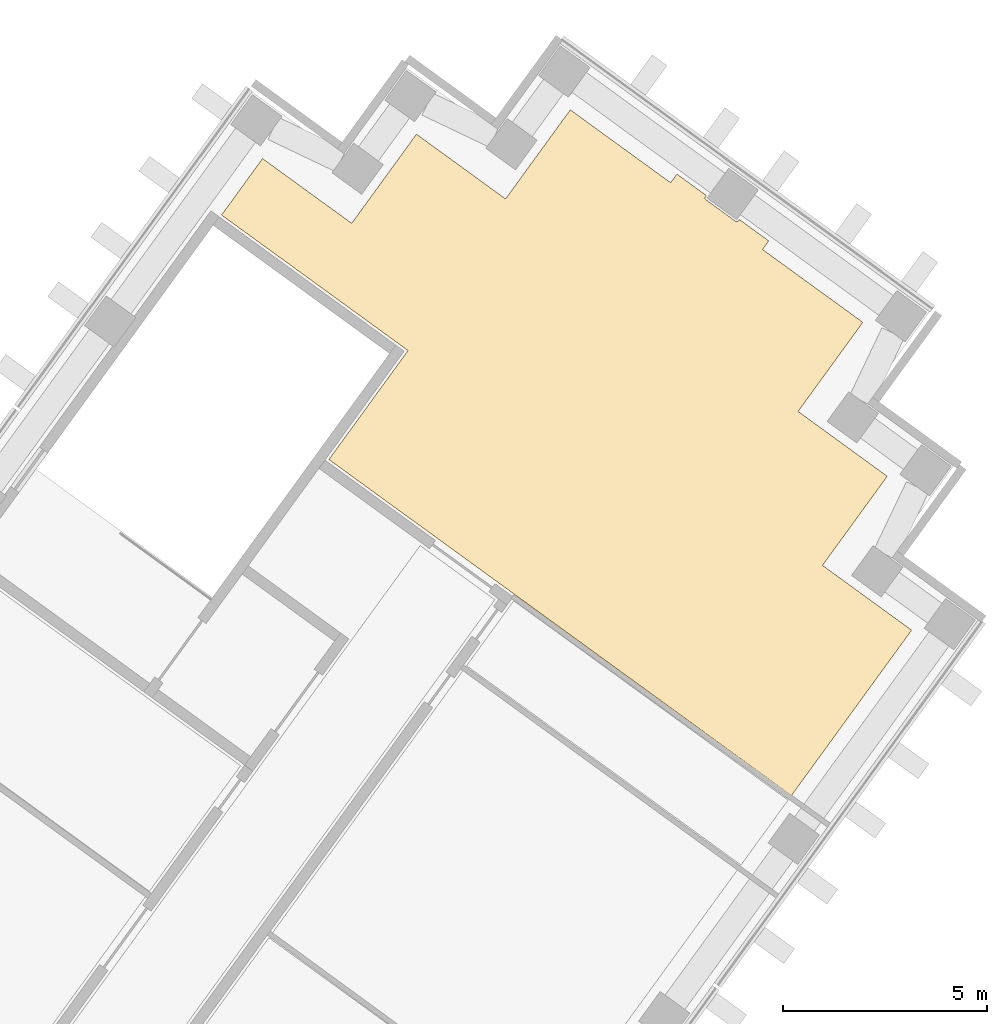
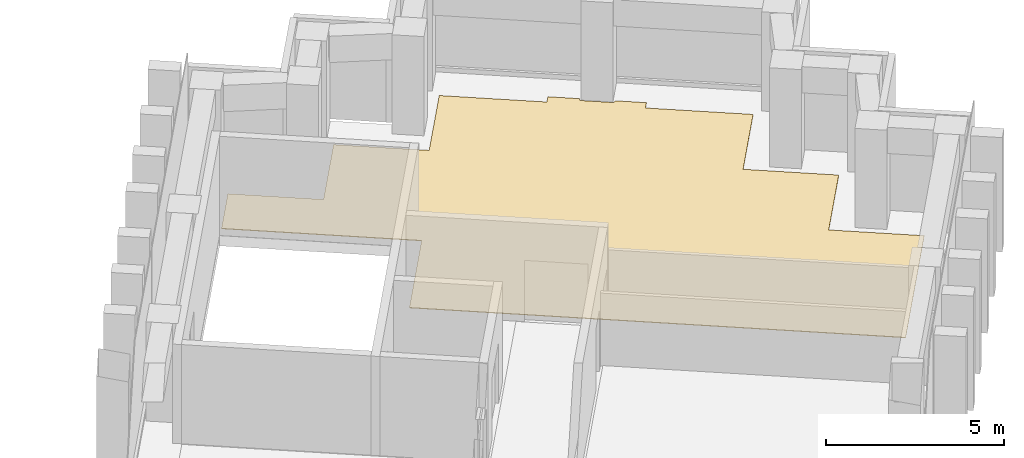
# One storey, part 12 of 12: 1 covering.
"""IFC4 building model written with IfcOpenShell, lengths in metres."""

from ifc_helpers import new_model, si_unit, direction, frame, origin, place, context, subcontext, project, spatial, polyline, outline, extrude, material, layer, layer_set, type_object, element, save


model = new_model("IFC4")

# Units and contexts
model_context = context("Model", 3, precision=1e-05, world=origin(), true_north=direction((0.0, 1.0)))
body_context = subcontext(model_context, "Body", "Model", "MODEL_VIEW")
ifc_project = project(units=[si_unit("LENGTHUNIT", "METRE"), si_unit("AREAUNIT", "SQUARE_METRE"), si_unit("VOLUMEUNIT", "CUBIC_METRE"), si_unit("PLANEANGLEUNIT", "RADIAN"), si_unit("MASSUNIT", "GRAM", prefix="KILO")], contexts=[model_context])

# Site, building, storey
site_placement = place(None, origin())
site = spatial("IfcSite", under=ifc_project, at=site_placement, CompositionType="ELEMENT")
building_placement = place(site_placement, origin())
building = spatial("IfcBuilding", under=site, at=building_placement, Name="Quipu Civic Tower", CompositionType="ELEMENT")
storey_placement = place(building_placement, frame((0.0, 0.0, 75.0)))
storey = spatial("IfcBuildingStorey", under=building, at=storey_placement, Name="L17", CompositionType="ELEMENT", Elevation=75.0)

# Covering
ifc_material = material(Name="Carpet tile on raised access floor")
ifc_layer = layer(ifc_material, 0.02001953125)
ifc_layer_set = layer_set([ifc_layer], Name="Carpet tile on raised access floor")
covering_type = type_object("IfcCoveringType", Name="Carpet tile floor finish 20", PredefinedType="FLOORING", material=ifc_layer_set)
covering_placement = place(storey_placement, origin())
element("IfcCovering", 1, at=covering_placement, inside=storey, type_object=covering_type, Name="Carpet tile floor finish 20", PredefinedType="FLOORING", context=body_context, shape_type="SweptSolid", body=[
    extrude(outline(polyline([(36.570068359375, 39.530029296875), (37.574951171875, 40.9130859375), (39.760009765625, 39.326904296875), (41.345947265625, 41.510986328125), (43.530029296875, 39.925048828125), (45.116943359375, 42.10791015625), (47.574951171875, 40.322021484375), (47.72900390625, 40.531982421875), (48.449951171875, 40.008056640625), (48.427001953125, 39.97705078125), (48.424072265625, 39.972900390625), (48.422119140625, 39.968017578125), (48.419921875, 39.964111328125), (48.4189453125, 39.958984375), (48.41796875, 39.9541015625), (48.4169921875, 39.948974609375), (48.4169921875, 39.944091796875), (48.41796875, 39.93994140625), (48.4189453125, 39.93505859375), (48.419921875, 39.929931640625), (48.422119140625, 39.926025390625), (48.425048828125, 39.9208984375), (48.427001953125, 39.9169921875), (48.430908203125, 39.9130859375), (48.43408203125, 39.909912109375), (48.43798828125, 39.906982421875), (49.166015625, 39.3779296875), (49.169921875, 39.375), (49.174072265625, 39.373046875), (49.178955078125, 39.37109375), (49.18408203125, 39.3701171875), (49.18896484375, 39.368896484375), (49.193115234375, 39.367919921875), (49.197998046875, 39.367919921875), (49.202880859375, 39.368896484375), (49.2080078125, 39.3701171875), (49.212890625, 39.37109375), (49.217041015625, 39.373046875), (49.220947265625, 39.3759765625), (49.22607421875, 39.3779296875), (49.22900390625, 39.382080078125), (49.23291015625, 39.385009765625), (49.236083984375, 39.388916015625), (49.259033203125, 39.4208984375), (49.97900390625, 38.89697265625), (49.826904296875, 38.68603515625), (52.284912109375, 36.90087890625), (50.698974609375, 34.717041015625), (52.883056640625, 33.12890625), (51.297119140625, 30.945068359375), (53.47998046875, 29.35791015625), (50.535888671875, 25.304931640625), (39.200927734375, 33.5390625), (41.139892578125, 36.208984375), (36.570068359375, 39.530029296875)])), origin(), (0.0, 0.0, 1.0), 0.02001953125),
])

save(model, "model.ifc")
